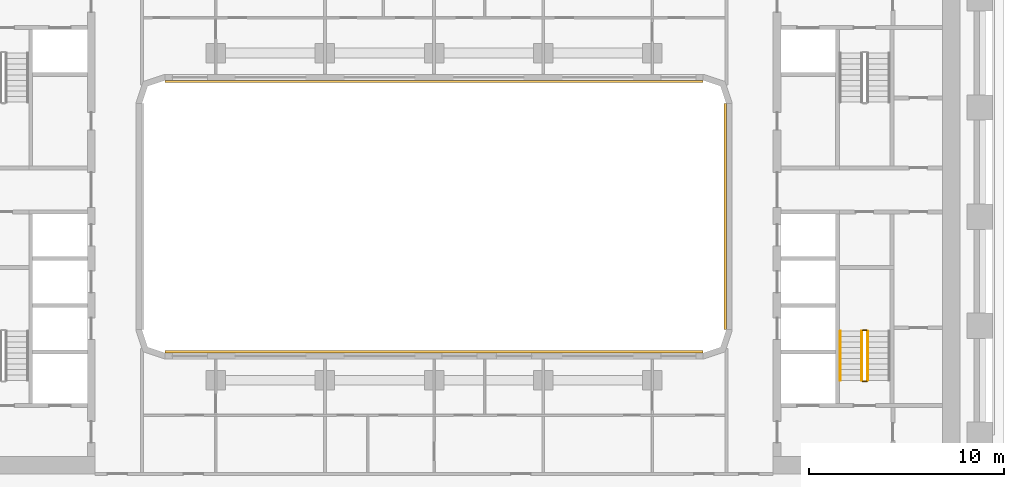
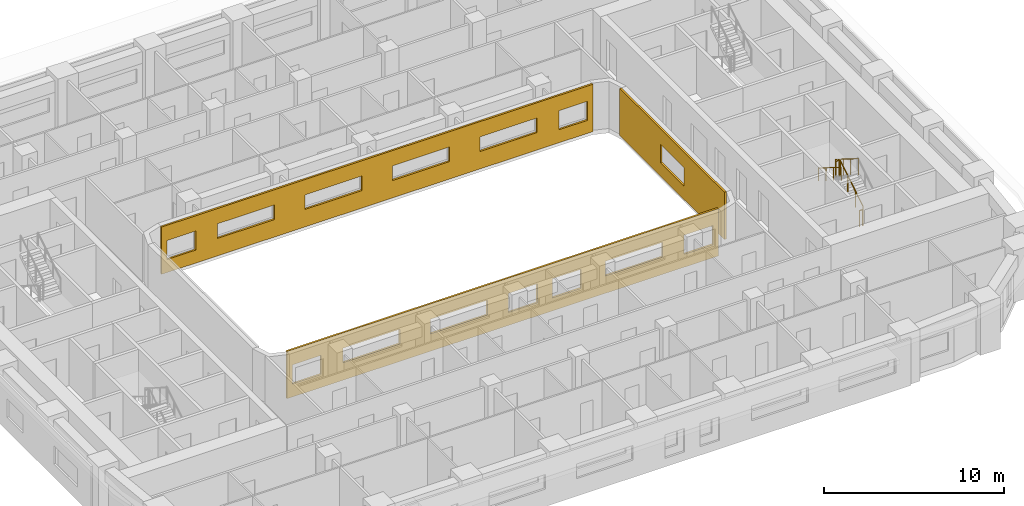
# One storey, part 16 of 21: 5 railings, 3 coverings.
"""IFC4 building model written with IfcOpenShell, lengths in metres."""

import ifcopenshell
import ifcopenshell.guid

model = None  # the IFC model being written
_history = None  # IfcOwnerHistory: only IFC2X3 demands one
_inside = {}  # id of a spatial element -> (the spatial element, [elements in it])
_under = {}  # id of a project, library or spatial element -> (it, [spatial elements below it])
_declared = {}  # id of a project -> (the project, [libraries it declares])
_typed = {}  # id of a type object -> (the type object, [elements of that type])
_made_of = {}  # id of a material, layer set ... -> (it, [elements and type objects made of it])


def new_model(schema):
    """Start an empty IFC model of exactly this schema.

    Asked for "IFC4X3", IfcOpenShell would pick the latest addendum, in which some entities
    have other attributes; the version numbers below select the first issue.
    IFC2X3 requires an IfcOwnerHistory on every rooted entity: one is made here for all.
    """
    global model, _history
    if schema == "IFC4X3":
        model = ifcopenshell.file(schema_version=(4, 3, 0, 0))
    else:
        model = ifcopenshell.file(schema=schema)
    _inside.clear()
    _under.clear()
    _declared.clear()
    _typed.clear()
    _made_of.clear()
    _history = None
    if model.schema == "IFC2X3":
        org = make("IfcOrganization", Name="unknown")
        user = make(
            "IfcPersonAndOrganization",
            ThePerson=make("IfcPerson", FamilyName="unknown"),
            TheOrganization=org,
        )
        app = make(
            "IfcApplication",
            ApplicationDeveloper=org,
            Version="unknown",
            ApplicationFullName="unknown",
            ApplicationIdentifier="unknown",
        )
        _history = make(
            "IfcOwnerHistory",
            OwningUser=user,
            OwningApplication=app,
            ChangeAction="ADDED",
            CreationDate=0,
        )
    return model


def make(cls, **values):
    """One entity of the class cls with the attributes given. An attribute that is None is left unset."""
    return model.create_entity(
        cls, **{name: value for name, value in values.items() if value is not None}
    )


def rooted(cls, **values):
    """An entity with a GlobalId (a new one), such as an element, a storey or a relation."""
    return make(cls, GlobalId=ifcopenshell.guid.new(), OwnerHistory=_history, **values)


def si_unit(unit_type, name, prefix=None):
    """IfcSIUnit, for example si_unit("LENGTHUNIT", "METRE", prefix="MILLI")."""
    return make("IfcSIUnit", UnitType=unit_type, Prefix=prefix, Name=name)


def assignment(units):
    """IfcUnitAssignment: the units of a project."""
    return None if units is None else make("IfcUnitAssignment", Units=units)


def point(xyz):
    """IfcCartesianPoint."""
    return None if xyz is None else make("IfcCartesianPoint", Coordinates=xyz)


def direction(xyz):
    """IfcDirection."""
    return None if xyz is None else make("IfcDirection", DirectionRatios=xyz)


def frame(location, z_axis=None, x_axis=None):
    """IfcAxis2Placement3D, a coordinate frame: its origin and axes. An axis left out is left unset."""
    return make(
        "IfcAxis2Placement3D",
        Location=point(location),
        Axis=direction(z_axis),
        RefDirection=direction(x_axis),
    )


def frame_2d(location, x_axis=None):
    """IfcAxis2Placement2D, a coordinate frame in the plane: its origin and x axis."""
    return make(
        "IfcAxis2Placement2D", Location=point(location), RefDirection=direction(x_axis)
    )


def origin():
    """The frame at (0, 0, 0) with its axes left unset."""
    return frame((0.0, 0.0, 0.0))


def origin_2d():
    """The frame at (0, 0) in the plane with its x axis left unset."""
    return frame_2d((0.0, 0.0))


def place(relative_to, where):
    """IfcLocalPlacement: puts the frame where relative to a parent placement (None: the world)."""
    return make(
        "IfcLocalPlacement", PlacementRelTo=relative_to, RelativePlacement=where
    )


def context(
    kind, dimensions, precision=None, world=None, true_north=None, identifier=None
):
    """IfcGeometricRepresentationContext, for example the 3D "Model" context."""
    return make(
        "IfcGeometricRepresentationContext",
        ContextIdentifier=identifier,
        ContextType=kind,
        CoordinateSpaceDimension=dimensions,
        Precision=precision,
        WorldCoordinateSystem=world,
        TrueNorth=true_north,
    )


def subcontext(parent, identifier, kind, view, scale=None):
    """IfcGeometricRepresentationSubContext, for example "Body" below "Model"."""
    return make(
        "IfcGeometricRepresentationSubContext",
        ContextIdentifier=identifier,
        ContextType=kind,
        ParentContext=parent,
        TargetScale=scale,
        TargetView=view,
    )


def project(units=None, contexts=None):
    """IfcProject with its units and contexts."""
    return rooted(
        "IfcProject",
        Name="project",
        RepresentationContexts=contexts,
        UnitsInContext=assignment(units),
    )


def spatial(cls, under=None, at=None, **own):
    """A site, building, storey or space (cls), placed at a placement, below another one or the project."""
    s = rooted(cls, ObjectPlacement=at, **own)
    if under is not None:
        _under.setdefault(under.id(), (under, []))[1].append(s)
    return s


def polyline(points):
    """IfcPolyline through the points."""
    return make("IfcPolyline", Points=[point(p) for p in points])


def profile(cls, at=None, kind="AREA", **sizes):
    """A parametric profile (cls). Its sizes go by their IFC names, for example OverallWidth=200.0."""
    return make(cls, ProfileType=kind, Position=at, **sizes)


def circle(**sizes):
    """IfcCircleProfileDef."""
    return profile("IfcCircleProfileDef", **sizes)


def outline(outer, holes=None, kind="AREA"):
    """IfcArbitraryClosedProfileDef: a profile drawn as a closed curve; with holes, ...WithVoids."""
    if holes is None:
        return make("IfcArbitraryClosedProfileDef", ProfileType=kind, OuterCurve=outer)
    return make(
        "IfcArbitraryProfileDefWithVoids",
        ProfileType=kind,
        OuterCurve=outer,
        InnerCurves=holes,
    )


def extrude(swept, where, along, depth):
    """IfcExtrudedAreaSolid: the profile swept, set in the frame where, extruded along a direction by depth."""
    return make(
        "IfcExtrudedAreaSolid",
        SweptArea=swept,
        Position=where,
        ExtrudedDirection=direction(along),
        Depth=depth,
    )


def shape(context_of_items, identifier, shape_type, items):
    """IfcShapeRepresentation: the items that make up one representation, for example the "Body"."""
    return make(
        "IfcShapeRepresentation",
        ContextOfItems=context_of_items,
        RepresentationIdentifier=identifier,
        RepresentationType=shape_type,
        Items=items,
    )


def material(Name=None, Category=None):
    """IfcMaterial."""
    return make("IfcMaterial", Name=Name, Category=Category)


def layer(
    of_material, thickness, ventilated=None, Name=None, Category=None, Priority=None
):
    """IfcMaterialLayer: one layer of a wall or slab, of a material (None: an air gap)."""
    return make(
        "IfcMaterialLayer",
        Material=of_material,
        LayerThickness=thickness,
        IsVentilated=ventilated,
        Name=Name,
        Category=Category,
        Priority=Priority,
    )


def layer_set(layers, Name=None):
    """IfcMaterialLayerSet."""
    return make("IfcMaterialLayerSet", MaterialLayers=layers, LayerSetName=Name)


def made_of(thing, what):
    """Note that an element or type object is made of a material, layer set ...; save() writes the relation."""
    if what is not None:
        _made_of.setdefault(what.id(), (what, []))[1].append(thing)
    return thing


def type_object(cls, material=None, **own):
    """A type object (cls), such as IfcWallType, which elements share."""
    return made_of(rooted(cls, **own), material)


def element(
    cls,
    number,
    at=None,
    inside=None,
    cuts=None,
    type_object=None,
    material=None,
    context=None,
    identifier="Body",
    shape_type=None,
    held_by="IfcProductDefinitionShape",
    body=None,
    shapes=None,
    **own,
):
    """One element of the class cls, such as IfcWall. Its Tag is "e" and its number.

    at: its placement. inside: the storey or other place that contains it. cuts: it is an
    opening in that element (IfcRelVoidsElement). A single representation is given by context,
    identifier, shape_type and body (its items); several are given by shapes. held_by: the class
    of the entity that holds the representations. save() writes the other relations.
    """
    e = rooted(cls, Tag="e%d" % number, ObjectPlacement=at, **own)
    if body is not None:
        shapes = [shape(context, identifier, shape_type, body)]
    if shapes is not None:
        e.Representation = make(held_by, Representations=shapes)
    if inside is not None:
        _inside.setdefault(inside.id(), (inside, []))[1].append(e)
    if cuts is not None:
        rooted(
            "IfcRelVoidsElement", RelatingBuildingElement=cuts, RelatedOpeningElement=e
        )
    if type_object is not None:
        _typed.setdefault(type_object.id(), (type_object, []))[1].append(e)
    return made_of(e, material)


def aggregate(whole, parts):
    """IfcRelAggregates: a whole, such as a stair, and the parts it consists of."""
    return rooted("IfcRelAggregates", RelatingObject=whole, RelatedObjects=parts)


def save(model, path):
    """Write the relations noted so far, then the file.

    IfcRelAggregates (storeys below a building ...), IfcRelContainedInSpatialStructure (elements
    in a storey), IfcRelDefinesByType, IfcRelAssociatesMaterial and IfcRelDeclares: one each for
    every whole, place, type object, material and project.
    """
    for whole, parts in _under.values():
        aggregate(whole, parts)
    for where, things in _inside.values():
        rooted(
            "IfcRelContainedInSpatialStructure",
            RelatedElements=things,
            RelatingStructure=where,
        )
    for kind, things in _typed.values():
        rooted("IfcRelDefinesByType", RelatedObjects=things, RelatingType=kind)
    for what, things in _made_of.values():
        rooted("IfcRelAssociatesMaterial", RelatedObjects=things, RelatingMaterial=what)
    for by, libraries in _declared.values():
        rooted("IfcRelDeclares", RelatingContext=by, RelatedDefinitions=libraries)
    model.write(path)


model = new_model("IFC4")

# Units and contexts
model_context = context("Model", 3, precision=1e-05, world=origin(), true_north=direction((0.0, 1.0)))
body_context = subcontext(model_context, "Body", "Model", "MODEL_VIEW")
ifc_project = project(units=[si_unit("LENGTHUNIT", "METRE"), si_unit("AREAUNIT", "SQUARE_METRE"), si_unit("VOLUMEUNIT", "CUBIC_METRE"), si_unit("PLANEANGLEUNIT", "RADIAN"), si_unit("MASSUNIT", "GRAM", prefix="KILO")], contexts=[model_context])

# Site, building, storey
site_placement = place(None, origin())
site = spatial("IfcSite", under=ifc_project, at=site_placement, CompositionType="ELEMENT")
building_placement = place(site_placement, origin())
building = spatial("IfcBuilding", under=site, at=building_placement, Name="Kiln Ring Residences", CompositionType="ELEMENT")
storey_placement = place(building_placement, frame((0.0, 0.0, 100.800048828125)))
storey = spatial("IfcBuildingStorey", under=building, at=storey_placement, Name="L25", CompositionType="ELEMENT", Elevation=100.800048828125)

# Railings
ifc_material_1 = material(Name="Stainless steel", Category="steel")
railing_type_1 = type_object("IfcRailingType", Name="CORE-STAIR-GUARD", PredefinedType="GUARDRAIL", material=ifc_material_1)
railing_1_placement = place(storey_placement, frame((22.25, -8.39990234375, 0.175048828125)))
element("IfcRailing", 1, at=railing_1_placement, inside=storey, type_object=railing_type_1, Name="L25 E-STS stair guard 1", PredefinedType="GUARDRAIL", context=body_context, shape_type="SweptSolid", body=[
    extrude(circle(Radius=0.02392578125, at=origin_2d()), frame((0.0, 0.0, 1.076171875), z_axis=(0.0, 0.848007534815, 0.529984170421), x_axis=(-1.0, 0.0, 0.0)), (0.0, 0.0, 1.0), 2.9716796875),
    extrude(circle(Radius=0.02099609375, at=origin_2d()), origin(), (0.0, 0.0, 1.0), 1.052001953125),
    extrude(circle(Radius=0.02099609375, at=origin_2d()), frame((0.0, 0.840087890625, 0.52490234375)), (0.0, 0.0, 1.0), 1.052001953125),
    extrude(circle(Radius=0.02099609375, at=origin_2d()), frame((0.0, 1.679931640625, 1.050048828125)), (0.0, 0.0, 1.0), 1.052001953125),
    extrude(circle(Radius=0.02099609375, at=origin_2d()), frame((0.0, 2.52001953125, 1.574951171875)), (0.0, 0.0, 1.0), 1.052001953125),
])
railing_2_placement = place(storey_placement, frame((22.199951171875, -5.830078125, 1.75)))
element("IfcRailing", 2, at=railing_2_placement, inside=storey, type_object=railing_type_1, Name="L25 E-STS stair guard 2", PredefinedType="GUARDRAIL", context=body_context, shape_type="SweptSolid", body=[
    extrude(circle(Radius=0.02392578125, at=origin_2d()), frame((0.0, 0.0, 1.076171875), z_axis=(-1.0, 0.0, 0.0), x_axis=(0.0, -1.0, 0.0)), (0.0, 0.0, 1.0), 0.199951171875),
    extrude(circle(Radius=0.02099609375, at=origin_2d()), origin(), (0.0, 0.0, 1.0), 1.052001953125),
    extrude(circle(Radius=0.02099609375, at=origin_2d()), frame((-0.199951171875, 0.0, 0.0)), (0.0, 0.0, 1.0), 1.052001953125),
])
railing_3_placement = place(storey_placement, frame((21.949951171875, -5.8798828125, 1.925048828125)))
element("IfcRailing", 3, at=railing_3_placement, inside=storey, type_object=railing_type_1, Name="L25 E-STS stair guard 3", PredefinedType="GUARDRAIL", context=body_context, shape_type="SweptSolid", body=[
    extrude(circle(Radius=0.02392578125, at=origin_2d()), frame((0.0, 0.0, 1.076171875), z_axis=(0.0, -0.848007534815, 0.529984170421), x_axis=(1.0, 0.0, 0.0)), (0.0, 0.0, 1.0), 2.9716796875),
    extrude(circle(Radius=0.02099609375, at=origin_2d()), origin(), (0.0, 0.0, 1.0), 1.052001953125),
    extrude(circle(Radius=0.02099609375, at=origin_2d()), frame((0.0, -0.840087890625, 0.52490234375)), (0.0, 0.0, 1.0), 1.052001953125),
    extrude(circle(Radius=0.02099609375, at=origin_2d()), frame((0.0, -1.679931640625, 1.050048828125)), (0.0, 0.0, 1.0), 1.052001953125),
    extrude(circle(Radius=0.02099609375, at=origin_2d()), frame((0.0, -2.52001953125, 1.574951171875)), (0.0, 0.0, 1.0), 1.052001953125),
])
railing_4_placement = place(storey_placement, frame((22.199951171875, -8.449951171875, 0.0)))
element("IfcRailing", 4, at=railing_4_placement, inside=storey, type_object=railing_type_1, Name="L25 E-STS stair guard 4", PredefinedType="GUARDRAIL", context=body_context, shape_type="SweptSolid", body=[
    extrude(circle(Radius=0.02392578125, at=origin_2d()), frame((0.0, 0.0, 1.076171875), z_axis=(-1.0, 0.0, 0.0), x_axis=(0.0, -1.0, 0.0)), (0.0, 0.0, 1.0), 0.199951171875),
    extrude(circle(Radius=0.02099609375, at=origin_2d()), origin(), (0.0, 0.0, 1.0), 1.052001953125),
    extrude(circle(Radius=0.02099609375, at=origin_2d()), frame((-0.199951171875, 0.0, 0.0)), (0.0, 0.0, 1.0), 1.052001953125),
])
ifc_material_2 = material(Name="Stainless steel", Category="steel")
railing_type_2 = type_object("IfcRailingType", Name="CORE-STAIR-HANDRAIL", PredefinedType="HANDRAIL", material=ifc_material_2)
railing_5_placement = place(storey_placement, frame((20.85009765625, -5.8798828125, 1.925048828125)))
element("IfcRailing", 5, at=railing_5_placement, inside=storey, type_object=railing_type_2, Name="L25 E-STS stair handrail 2", PredefinedType="HANDRAIL", context=body_context, shape_type="SweptSolid", body=[
    extrude(circle(Radius=0.02392578125, at=origin_2d()), frame((0.0, 0.0, 0.8759765625), z_axis=(0.0, -0.848007534815, 0.529984170421), x_axis=(1.0, 0.0, 0.0)), (0.0, 0.0, 1.0), 2.9716796875),
    extrude(circle(Radius=0.02099609375, at=origin_2d()), origin(), (0.0, 0.0, 1.0), 0.851806640625),
    extrude(circle(Radius=0.02099609375, at=origin_2d()), frame((0.0, -0.840087890625, 0.52490234375)), (0.0, 0.0, 1.0), 0.851806640625),
    extrude(circle(Radius=0.02099609375, at=origin_2d()), frame((0.0, -1.679931640625, 1.050048828125)), (0.0, 0.0, 1.0), 0.851806640625),
    extrude(circle(Radius=0.02099609375, at=origin_2d()), frame((0.0, -2.52001953125, 1.574951171875)), (0.0, 0.0, 1.0), 0.851806640625),
])

# Coverings
ifc_material_3 = material(Name="Brick masonry, dark clay brick", Category="masonry")
ifc_layer = layer(ifc_material_3, 0.1201171875)
ifc_layer_set = layer_set([ifc_layer], Name="RAINSCREEN PANEL 120")
covering_type = type_object("IfcCoveringType", Name="RAINSCREEN PANEL 120", PredefinedType="CLADDING", material=ifc_layer_set)
covering_1_placement = place(storey_placement, frame((-13.800048828125, 6.93994140625, 0.0), z_axis=(0.0, 0.0, 1.0), x_axis=(1.0, 0.0, 0.0)))
element("IfcCovering", 6, at=covering_1_placement, inside=storey, type_object=covering_type, Name="RAINSCREEN L25", PredefinedType="CLADDING", context=body_context, shape_type="SweptSolid", body=[
    extrude(outline(polyline([(0.0, 0.0), (27.60009765625, 0.0), (27.60009765625, 3.199951171875), (0.0, 3.199951171875), (0.0, 0.0)]), holes=[polyline([(2.1826171875, 0.8798828125), (2.1826171875, 2.169921875), (0.342529296875, 2.169921875), (0.342529296875, 0.8798828125), (2.1826171875, 0.8798828125)]), polyline([(25.41748046875, 0.8798828125), (27.257568359375, 0.8798828125), (27.257568359375, 2.169921875), (25.41748046875, 2.169921875), (25.41748046875, 0.8798828125)]), polyline([(3.580078125, 1.179931640625), (7.219970703125, 1.179931640625), (7.219970703125, 2.169921875), (3.580078125, 2.169921875), (3.580078125, 1.179931640625)]), polyline([(12.820068359375, 1.179931640625), (12.820068359375, 2.169921875), (9.179931640625, 2.169921875), (9.179931640625, 1.179931640625), (12.820068359375, 1.179931640625)]), polyline([(14.780029296875, 1.179931640625), (18.419921875, 1.179931640625), (18.419921875, 2.169921875), (14.780029296875, 2.169921875), (14.780029296875, 1.179931640625)]), polyline([(20.3798828125, 1.179931640625), (24.02001953125, 1.179931640625), (24.02001953125, 2.169921875), (20.3798828125, 2.169921875), (20.3798828125, 1.179931640625)])]), frame((0.0, 0.06005859375, 0.0), z_axis=(0.0, -1.0, 0.0), x_axis=(1.0, 0.0, 0.0)), (0.0, 0.0, 1.0), 0.1201171875),
])
covering_2_placement = place(storey_placement, frame((14.93994140625, 5.800048828125, 0.0), z_axis=(0.0, 0.0, 1.0), x_axis=(0.0, -1.0, 0.0)))
element("IfcCovering", 7, at=covering_2_placement, inside=storey, type_object=covering_type, Name="RAINSCREEN L25", PredefinedType="CLADDING", context=body_context, shape_type="SweptSolid", body=[
    extrude(outline(polyline([(0.0, 0.0), (11.60009765625, 0.0), (11.60009765625, 3.199951171875), (0.0, 3.199951171875), (0.0, 0.0)]), holes=[polyline([(4.5, 2.14990234375), (4.5, 0.89990234375), (7.10009765625, 0.89990234375), (7.10009765625, 2.14990234375), (4.5, 2.14990234375)])]), frame((0.0, 0.06005859375, 0.0), z_axis=(0.0, -1.0, 0.0), x_axis=(1.0, 0.0, 0.0)), (0.0, 0.0, 1.0), 0.1201171875),
])
covering_3_placement = place(storey_placement, frame((13.800048828125, -6.93994140625, 0.0), z_axis=(0.0, 0.0, 1.0), x_axis=(-1.0, 0.0, 0.0)))
element("IfcCovering", 8, at=covering_3_placement, inside=storey, type_object=covering_type, Name="RAINSCREEN L25", PredefinedType="CLADDING", context=body_context, shape_type="SweptSolid", body=[
    extrude(outline(polyline([(0.0, 0.0), (27.60009765625, 0.0), (27.60009765625, 3.199951171875), (0.0, 3.199951171875), (0.0, 0.0)]), holes=[polyline([(2.1826171875, 0.8798828125), (2.1826171875, 2.169921875), (0.342529296875, 2.169921875), (0.342529296875, 0.8798828125), (2.1826171875, 0.8798828125)]), polyline([(8.780029296875, 0.8798828125), (10.6201171875, 0.8798828125), (10.6201171875, 2.169921875), (8.780029296875, 2.169921875), (8.780029296875, 0.8798828125)]), polyline([(11.580078125, 0.8798828125), (13.419921875, 0.8798828125), (13.419921875, 2.169921875), (11.580078125, 2.169921875), (11.580078125, 0.8798828125)]), polyline([(25.41748046875, 0.8798828125), (27.257568359375, 0.8798828125), (27.257568359375, 2.169921875), (25.41748046875, 2.169921875), (25.41748046875, 0.8798828125)]), polyline([(3.580078125, 1.179931640625), (7.219970703125, 1.179931640625), (7.219970703125, 2.169921875), (3.580078125, 2.169921875), (3.580078125, 1.179931640625)]), polyline([(14.780029296875, 1.179931640625), (18.419921875, 1.179931640625), (18.419921875, 2.169921875), (14.780029296875, 2.169921875), (14.780029296875, 1.179931640625)]), polyline([(20.3798828125, 1.179931640625), (24.02001953125, 1.179931640625), (24.02001953125, 2.169921875), (20.3798828125, 2.169921875), (20.3798828125, 1.179931640625)])]), frame((0.0, 0.06005859375, 0.0), z_axis=(0.0, -1.0, 0.0), x_axis=(1.0, 0.0, 0.0)), (0.0, 0.0, 1.0), 0.1201171875),
])

save(model, "model.ifc")
